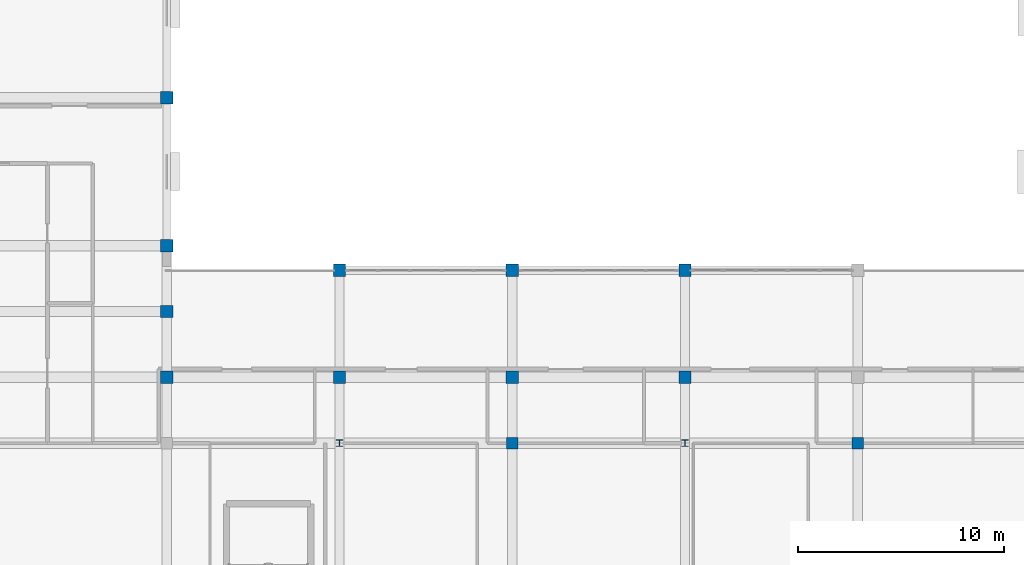
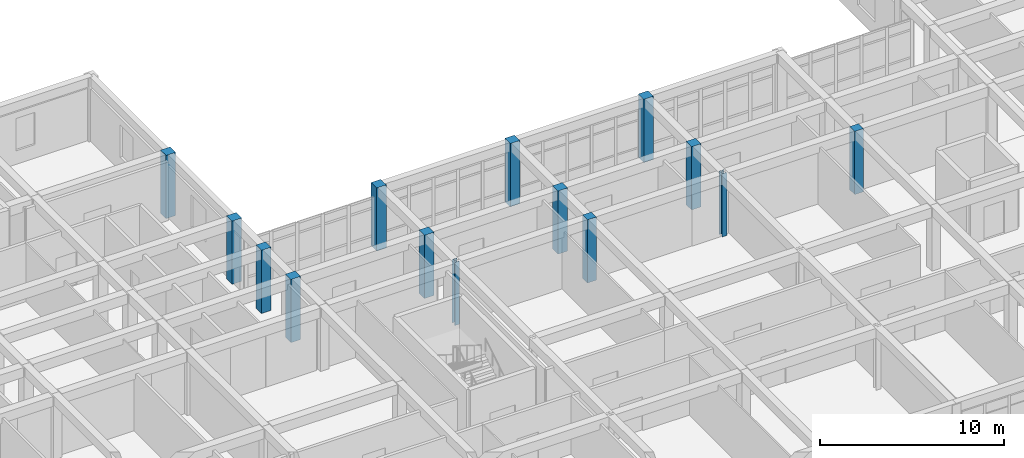
# One storey, part 4 of 77: 14 columns.
"""IFC4 building model written with IfcOpenShell, lengths in metres."""

from ifc_helpers import new_model, si_unit, direction, frame, origin, origin_2d, place, context, subcontext, project, spatial, rectangle, i_section, extrude, material, material_profile, profile_set, type_object, element, save


model = new_model("IFC4")

# Units and contexts
model_context = context("Model", 3, precision=1e-05, world=origin(), true_north=direction((0.0, 1.0)))
body_context = subcontext(model_context, "Body", "Model", "MODEL_VIEW")
ifc_project = project(units=[si_unit("LENGTHUNIT", "METRE"), si_unit("AREAUNIT", "SQUARE_METRE"), si_unit("VOLUMEUNIT", "CUBIC_METRE"), si_unit("PLANEANGLEUNIT", "RADIAN"), si_unit("MASSUNIT", "GRAM", prefix="KILO")], contexts=[model_context])

# Site, building, storey
site_placement = place(None, origin())
site = spatial("IfcSite", under=ifc_project, at=site_placement, CompositionType="ELEMENT")
building_placement = place(site_placement, origin())
building = spatial("IfcBuilding", under=site, at=building_placement, Name="Varncliffe General Hospital", CompositionType="ELEMENT")
storey_placement = place(building_placement, frame((0.0, 0.0, 16.199951171875)))
storey = spatial("IfcBuildingStorey", under=building, at=storey_placement, Name="L03", CompositionType="ELEMENT", Elevation=16.199951171875)

# Columns
ifc_material_1 = material(Name="Concrete C40/50 (CSA A23.1 40 MPa)", Category="concrete")
ifc_material_profile_1 = material_profile(ifc_material_1, rectangle(XDim=0.60009765625, YDim=0.60009765625, at=origin_2d()), Name="RC 600x600")
ifc_profile_set_1 = profile_set([ifc_material_profile_1], Name="Concrete C40/50 (CSA A23.1 40 MPa)")
column_type_1 = type_object("IfcColumnType", Name="Column C27 (Ext RC 600x600)", PredefinedType="COLUMN", material=ifc_profile_set_1)
for number, where, z_axis, x_axis, name in (
    (1, (67.199951171875, 109.199951171875, 0.0), (0.0, 0.0, 1.0), (1.0, 0.0, 0.0), "L03 Column C27"),
    (2, (67.199951171875, 116.39990234375, 0.0), (0.0, 0.0, 1.0), (1.0, 0.0, 0.0), "L03 Column C27"),
    (3, (75.60009765625, 108.0, 0.0), (0.0, 0.0, 1.0), (1.0, 0.0, 0.0), "L03 Column C27"),
    (4, (84.0, 108.0, 0.0), (0.0, 0.0, 1.0), (1.0, 0.0, 0.0), "L03 Column C27"),
    (5, (92.39990234375, 108.0, 0.0), (0.0, 0.0, 1.0), (1.0, 0.0, 0.0), "L03 Column C27"),
):
    element("IfcColumn", number, at=place(storey_placement, frame(where, z_axis=z_axis, x_axis=x_axis)), inside=storey, type_object=column_type_1, Name=name, PredefinedType="COLUMN", context=body_context, shape_type="SweptSolid", body=[
        extrude(rectangle(XDim=0.60009765625, YDim=0.60009765625, at=origin_2d()), origin(), (0.0, 0.0, 1.0), 4.199951171875),
    ])
ifc_material_2 = material(Name="Steel S355 (CSA G40.21 350W)", Category="steel")
ifc_material_profile_2 = material_profile(ifc_material_2, i_section(OverallWidth=0.304931640625, OverallDepth=0.30810546875, WebThickness=0.010009765625, FlangeThickness=0.015380859375, FilletRadius=0.014892578125, at=origin_2d()), Name="W310x97")
ifc_profile_set_2 = profile_set([ifc_material_profile_2], Name="Steel S355 (CSA G40.21 350W)")
column_type_2 = type_object("IfcColumnType", Name="Column C56 (Int W310x97)", PredefinedType="COLUMN", material=ifc_profile_set_2)
for number, where, z_axis, x_axis, name in (
    (6, (75.60009765625, 99.60009765625, 0.0), (0.0, 0.0, 1.0), (1.0, 0.0, 0.0), "L03 Column C56"),
    (7, (92.39990234375, 99.60009765625, 0.0), (0.0, 0.0, 1.0), (1.0, 0.0, 0.0), "L03 Column C56"),
):
    element("IfcColumn", number, at=place(storey_placement, frame(where, z_axis=z_axis, x_axis=x_axis)), inside=storey, type_object=column_type_2, Name=name, PredefinedType="COLUMN", context=body_context, shape_type="SweptSolid", body=[
        extrude(i_section(OverallWidth=0.304931640625, OverallDepth=0.30810546875, WebThickness=0.010009765625, FlangeThickness=0.015380859375, FilletRadius=0.014892578125, at=origin_2d()), origin(), (0.0, 0.0, 1.0), 4.199951171875),
    ])
ifc_material_profile_3 = material_profile(ifc_material_1, rectangle(XDim=0.60009765625, YDim=0.60009765625, at=origin_2d()), Name="RC 600x600")
ifc_profile_set_3 = profile_set([ifc_material_profile_3], Name="Concrete C40/50 (CSA A23.1 40 MPa)")
column_type_3 = type_object("IfcColumnType", Name="Column C82 (Int RC 600x600)", PredefinedType="COLUMN", material=ifc_profile_set_3)
for number, where, z_axis, x_axis, name in (
    (8, (67.199951171875, 102.800048828125, 0.0), (0.0, 0.0, 1.0), (1.0, 0.0, 0.0), "L03 Column C82"),
    (9, (67.199951171875, 106.0, 0.0), (0.0, 0.0, 1.0), (1.0, 0.0, 0.0), "L03 Column C82"),
    (10, (75.60009765625, 102.800048828125, 0.0), (0.0, 0.0, 1.0), (1.0, 0.0, 0.0), "L03 Column C82"),
    (11, (84.0, 102.800048828125, 0.0), (0.0, 0.0, 1.0), (1.0, 0.0, 0.0), "L03 Column C82"),
    (12, (92.39990234375, 102.800048828125, 0.0), (0.0, 0.0, 1.0), (1.0, 0.0, 0.0), "L03 Column C82"),
):
    element("IfcColumn", number, at=place(storey_placement, frame(where, z_axis=z_axis, x_axis=x_axis)), inside=storey, type_object=column_type_3, Name=name, PredefinedType="COLUMN", context=body_context, shape_type="SweptSolid", body=[
        extrude(rectangle(XDim=0.60009765625, YDim=0.60009765625, at=origin_2d()), origin(), (0.0, 0.0, 1.0), 4.199951171875),
    ])
ifc_material_profile_4 = material_profile(ifc_material_1, rectangle(XDim=0.550048828125, YDim=0.550048828125, at=origin_2d()), Name="RC 550x550")
ifc_profile_set_4 = profile_set([ifc_material_profile_4], Name="Concrete C40/50 (CSA A23.1 40 MPa)")
column_type_4 = type_object("IfcColumnType", Name="Column C85 (Int RC 550x550)", PredefinedType="COLUMN", material=ifc_profile_set_4)
for number, where, z_axis, x_axis, name in (
    (13, (84.0, 99.60009765625, 0.0), (0.0, 0.0, 1.0), (1.0, 0.0, 0.0), "L03 Column C85"),
    (14, (100.800048828125, 99.60009765625, 0.0), (0.0, 0.0, 1.0), (1.0, 0.0, 0.0), "L03 Column C85"),
):
    element("IfcColumn", number, at=place(storey_placement, frame(where, z_axis=z_axis, x_axis=x_axis)), inside=storey, type_object=column_type_4, Name=name, PredefinedType="COLUMN", context=body_context, shape_type="SweptSolid", body=[
        extrude(rectangle(XDim=0.550048828125, YDim=0.550048828125, at=origin_2d()), origin(), (0.0, 0.0, 1.0), 4.199951171875),
    ])

save(model, "model.ifc")
